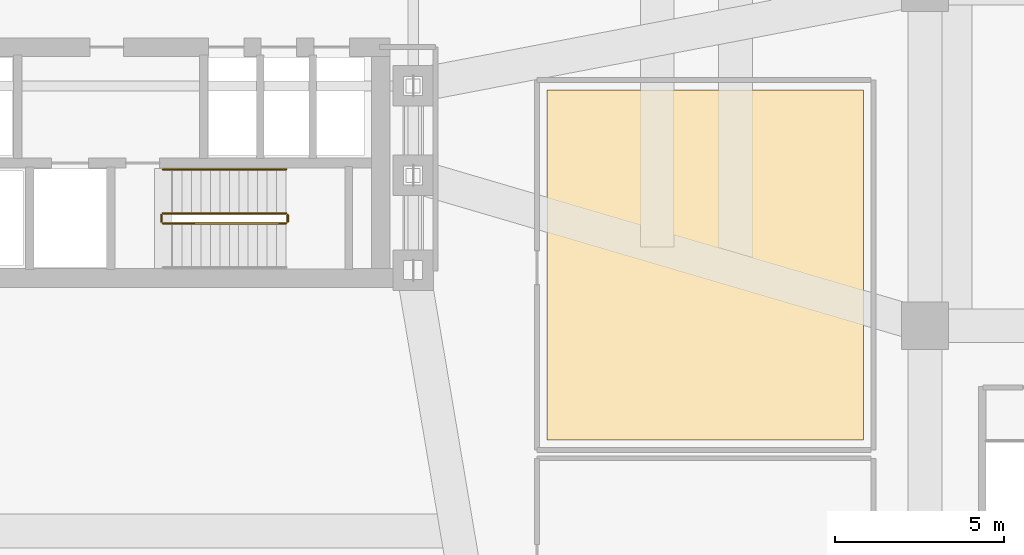
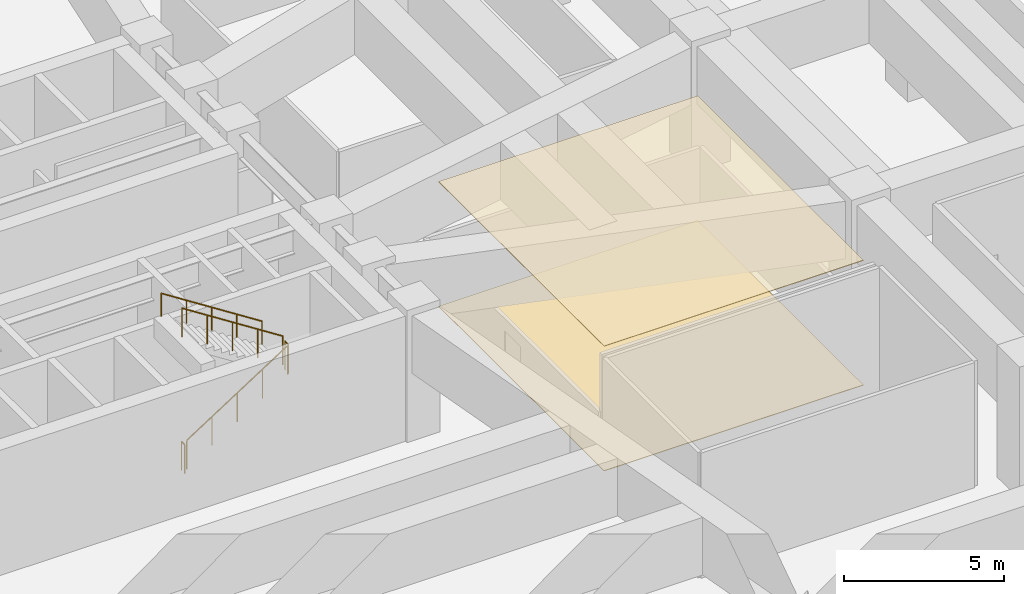
# One storey, part 12 of 14: 5 railings, 2 coverings.
"""IFC4 building model written with IfcOpenShell, lengths in metres."""

from ifc_helpers import new_model, si_unit, direction, frame, origin, origin_2d, place, context, subcontext, project, spatial, polyline, circle, outline, extrude, material, layer, layer_set, type_object, element, save


model = new_model("IFC4")

# Units and contexts
model_context = context("Model", 3, precision=1e-05, world=origin(), true_north=direction((0.0, 1.0)))
body_context = subcontext(model_context, "Body", "Model", "MODEL_VIEW")
ifc_project = project(units=[si_unit("LENGTHUNIT", "METRE"), si_unit("AREAUNIT", "SQUARE_METRE"), si_unit("VOLUMEUNIT", "CUBIC_METRE"), si_unit("PLANEANGLEUNIT", "RADIAN"), si_unit("MASSUNIT", "GRAM", prefix="KILO")], contexts=[model_context])

# Site, building, storey
site_placement = place(None, origin())
site = spatial("IfcSite", under=ifc_project, at=site_placement, CompositionType="ELEMENT")
building_placement = place(site_placement, origin())
building = spatial("IfcBuilding", under=site, at=building_placement, Name="Solmarez Civic Tower", CompositionType="ELEMENT")
storey_placement = place(building_placement, frame((0.0, 0.0, 19.43994140625)))
storey = spatial("IfcBuildingStorey", under=building, at=storey_placement, Name="L04", CompositionType="ELEMENT", Elevation=19.43994140625)

# Coverings
ifc_material_1 = material(Name="Perforated Mineral-Fibre Acoustic Ceiling")
ifc_layer_1 = layer(ifc_material_1, 0.02490234375)
ifc_layer_set_1 = layer_set([ifc_layer_1], Name="Perforated Mineral-Fibre Acoustic Ceiling")
covering_type_1 = type_object("IfcCoveringType", Name="COV-CEIL-ACOUSTIC", PredefinedType="CEILING", material=ifc_layer_set_1)
covering_1_placement = place(storey_placement, frame((0.0, 0.0, 4.755126953125)))
element("IfcCovering", 1, at=covering_1_placement, inside=storey, type_object=covering_type_1, Name="L04 Suspended Acoustic Ceiling 2", PredefinedType="CEILING", context=body_context, shape_type="SweptSolid", body=[
    extrude(outline(polyline([(22.179931640625, -13.3798828125), (22.179931640625, -3.02001953125), (12.820068359375, -3.02001953125), (12.820068359375, -13.3798828125), (22.179931640625, -13.3798828125)])), origin(), (0.0, 0.0, 1.0), 0.02490234375),
])
ifc_material_2 = material(Name="Polished Tropical Stone Terrazzo Flooring", Category="masonry")
ifc_layer_2 = layer(ifc_material_2, 0.02001953125)
ifc_layer_set_2 = layer_set([ifc_layer_2], Name="Polished Tropical Stone Terrazzo Flooring")
covering_type_2 = type_object("IfcCoveringType", Name="COV-FLOOR-TERRAZZO", PredefinedType="FLOORING", material=ifc_layer_set_2)
covering_2_placement = place(storey_placement, origin())
element("IfcCovering", 2, at=covering_2_placement, inside=storey, type_object=covering_type_2, Name="L04 Terrazzo Floor Finish 2", PredefinedType="FLOORING", context=body_context, shape_type="SweptSolid", body=[
    extrude(outline(polyline([(22.179931640625, -13.3798828125), (22.179931640625, -3.02001953125), (12.820068359375, -3.02001953125), (12.820068359375, -13.3798828125), (22.179931640625, -13.3798828125)])), origin(), (0.0, 0.0, 1.0), 0.02001953125),
])

# Railings
ifc_material_3 = material(Name="Painted Steel Stairwell Safety Guard", Category="steel")
railing_type_1 = type_object("IfcRailingType", Name="GUARD-STAIR-1120", PredefinedType="BALUSTRADE", material=ifc_material_3)
railing_1_placement = place(storey_placement, frame((1.449951171875, -6.969970703125, 0.18017578125)))
element("IfcRailing", 3, at=railing_1_placement, inside=storey, type_object=railing_type_1, Name="L04 ST-2 stair guard 1", PredefinedType="BALUSTRADE", context=body_context, shape_type="SweptSolid", body=[
    extrude(circle(Radius=0.02392578125, at=origin_2d()), frame((0.0, 0.0, 1.09619140625), z_axis=(0.841204137849, 0.0, 0.540717669829), x_axis=(0.0, 1.0, 0.0)), (0.0, 0.0, 1.0), 4.327392578125),
    extrude(circle(Radius=0.02099609375, at=origin_2d()), origin(), (0.0, 0.0, 1.0), 1.072021484375),
    extrude(circle(Radius=0.02099609375, at=origin_2d()), frame((0.91015625, 0.0, 0.5849609375)), (0.0, 0.0, 1.0), 1.072021484375),
    extrude(circle(Radius=0.02099609375, at=origin_2d()), frame((1.820068359375, 0.0, 1.169921875)), (0.0, 0.0, 1.0), 1.072021484375),
    extrude(circle(Radius=0.02099609375, at=origin_2d()), frame((2.72998046875, 0.0, 1.7548828125)), (0.0, 0.0, 1.0), 1.072021484375),
    extrude(circle(Radius=0.02099609375, at=origin_2d()), frame((3.64013671875, 0.0, 2.33984375)), (0.0, 0.0, 1.0), 1.072021484375),
])
railing_2_placement = place(storey_placement, frame((5.139892578125, -6.919921875, 2.52001953125)))
element("IfcRailing", 4, at=railing_2_placement, inside=storey, type_object=railing_type_1, Name="L04 ST-2 stair guard 2", PredefinedType="BALUSTRADE", context=body_context, shape_type="SweptSolid", body=[
    extrude(circle(Radius=0.02392578125, at=origin_2d()), frame((0.0, 0.0, 1.09619140625), z_axis=(0.0, 1.0, 0.0), x_axis=(-1.0, 0.0, 0.0)), (0.0, 0.0, 1.0), 0.199951171875),
    extrude(circle(Radius=0.02099609375, at=origin_2d()), origin(), (0.0, 0.0, 1.0), 1.072021484375),
    extrude(circle(Radius=0.02099609375, at=origin_2d()), frame((0.0, 0.199951171875, 0.0)), (0.0, 0.0, 1.0), 1.072021484375),
])
railing_3_placement = place(storey_placement, frame((5.090087890625, -6.669921875, 2.699951171875)))
element("IfcRailing", 5, at=railing_3_placement, inside=storey, type_object=railing_type_1, Name="L04 ST-2 stair guard 3", PredefinedType="BALUSTRADE", context=body_context, shape_type="SweptSolid", body=[
    extrude(circle(Radius=0.02392578125, at=origin_2d()), frame((0.0, 0.0, 1.09619140625), z_axis=(-0.841178475377, 0.0, 0.540757591313), x_axis=(0.0, -1.0, 0.0)), (0.0, 0.0, 1.0), 4.327392578125),
    extrude(circle(Radius=0.02099609375, at=origin_2d()), origin(), (0.0, 0.0, 1.0), 1.072021484375),
    extrude(circle(Radius=0.02099609375, at=origin_2d()), frame((-0.91015625, 0.0, 0.5849609375)), (0.0, 0.0, 1.0), 1.072021484375),
    extrude(circle(Radius=0.02099609375, at=origin_2d()), frame((-1.820068359375, 0.0, 1.169921875)), (0.0, 0.0, 1.0), 1.072021484375),
    extrude(circle(Radius=0.02099609375, at=origin_2d()), frame((-2.72998046875, 0.0, 1.755126953125)), (0.0, 0.0, 1.0), 1.072021484375),
    extrude(circle(Radius=0.02099609375, at=origin_2d()), frame((-3.64013671875, 0.0, 2.340087890625)), (0.0, 0.0, 1.0), 1.072021484375),
])
railing_4_placement = place(storey_placement, frame((1.39990234375, -6.919921875, 0.0)))
element("IfcRailing", 6, at=railing_4_placement, inside=storey, type_object=railing_type_1, Name="L04 ST-2 stair guard 4", PredefinedType="BALUSTRADE", context=body_context, shape_type="SweptSolid", body=[
    extrude(circle(Radius=0.02392578125, at=origin_2d()), frame((0.0, 0.0, 1.09619140625), z_axis=(0.0, 1.0, 0.0), x_axis=(-1.0, 0.0, 0.0)), (0.0, 0.0, 1.0), 0.199951171875),
    extrude(circle(Radius=0.02099609375, at=origin_2d()), origin(), (0.0, 0.0, 1.0), 1.072021484375),
    extrude(circle(Radius=0.02099609375, at=origin_2d()), frame((0.0, 0.199951171875, 0.0)), (0.0, 0.0, 1.0), 1.072021484375),
])
ifc_material_4 = material(Name="Brushed Stainless Steel Tube Handrail", Category="steel")
railing_type_2 = type_object("IfcRailingType", Name="HANDRAIL-STAIR-900", PredefinedType="HANDRAIL", material=ifc_material_4)
railing_5_placement = place(storey_placement, frame((5.090087890625, -5.3701171875, 2.699951171875)))
element("IfcRailing", 7, at=railing_5_placement, inside=storey, type_object=railing_type_2, Name="L04 ST-2 stair handrail 2", PredefinedType="HANDRAIL", context=body_context, shape_type="SweptSolid", body=[
    extrude(circle(Radius=0.02392578125, at=origin_2d()), frame((0.0, 0.0, 0.8759765625), z_axis=(-0.841178475377, 0.0, 0.540757591313), x_axis=(0.0, -1.0, 0.0)), (0.0, 0.0, 1.0), 4.327392578125),
    extrude(circle(Radius=0.02099609375, at=origin_2d()), origin(), (0.0, 0.0, 1.0), 0.851806640625),
    extrude(circle(Radius=0.02099609375, at=origin_2d()), frame((-0.91015625, 0.0, 0.5849609375)), (0.0, 0.0, 1.0), 0.851806640625),
    extrude(circle(Radius=0.02099609375, at=origin_2d()), frame((-1.820068359375, 0.0, 1.169921875)), (0.0, 0.0, 1.0), 0.851806640625),
    extrude(circle(Radius=0.02099609375, at=origin_2d()), frame((-2.72998046875, 0.0, 1.755126953125)), (0.0, 0.0, 1.0), 0.851806640625),
    extrude(circle(Radius=0.02099609375, at=origin_2d()), frame((-3.64013671875, 0.0, 2.340087890625)), (0.0, 0.0, 1.0), 0.851806640625),
])

save(model, "model.ifc")
